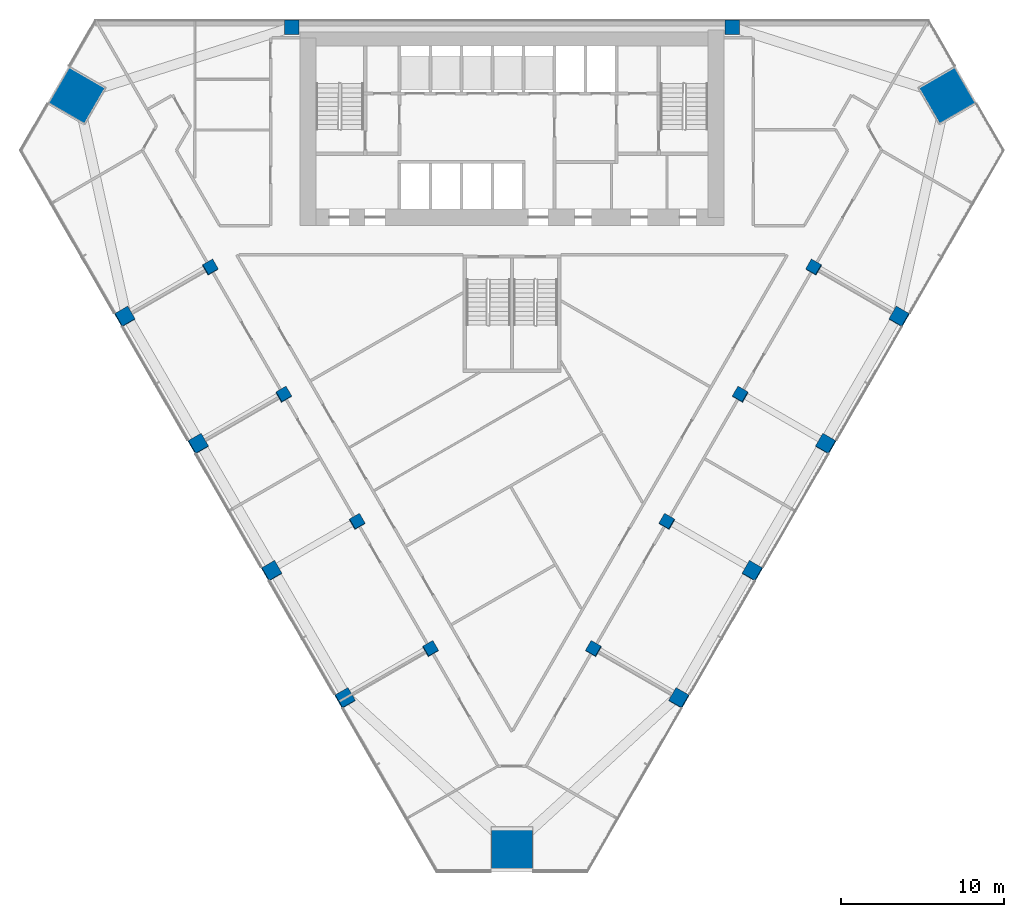
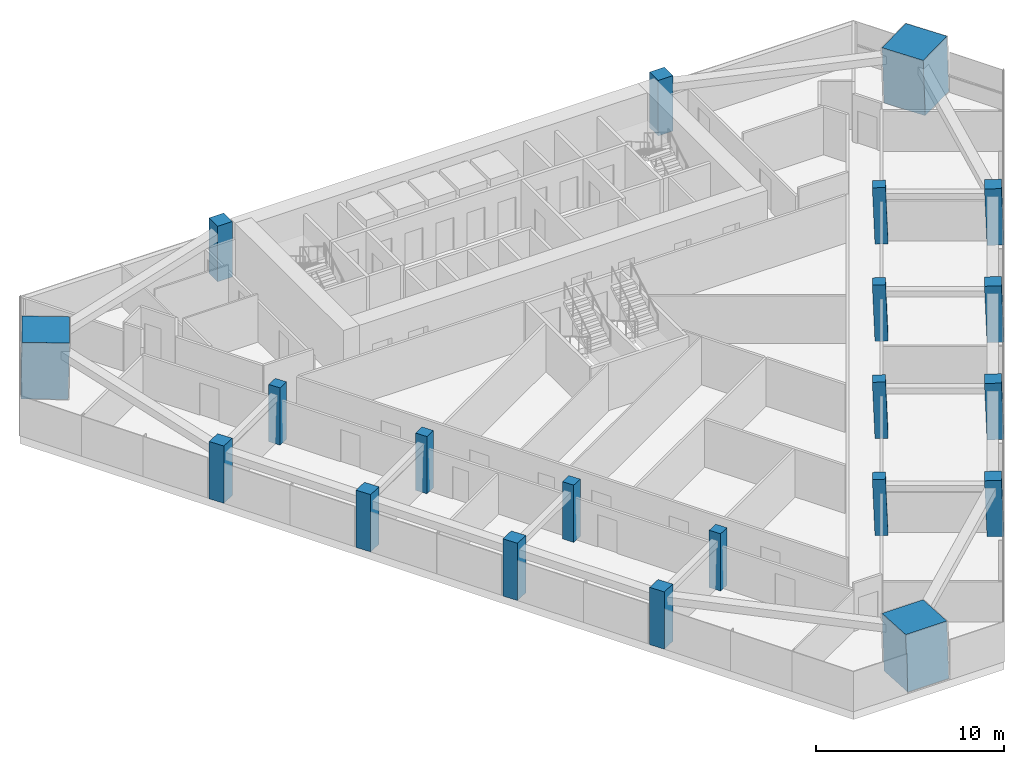
# One storey, part 1 of 14: 21 columns.
"""IFC4 building model written with IfcOpenShell, lengths in metres."""

from ifc_helpers import new_model, si_unit, direction, frame, origin, origin_2d, place, context, subcontext, project, spatial, rectangle, extrude, material, material_profile, profile_set, type_object, element, save


model = new_model("IFC4")

# Units and contexts
model_context = context("Model", 3, precision=1e-05, world=origin(), true_north=direction((0.0, 1.0)))
body_context = subcontext(model_context, "Body", "Model", "MODEL_VIEW")
ifc_project = project(units=[si_unit("LENGTHUNIT", "METRE"), si_unit("AREAUNIT", "SQUARE_METRE"), si_unit("VOLUMEUNIT", "CUBIC_METRE"), si_unit("PLANEANGLEUNIT", "RADIAN"), si_unit("MASSUNIT", "GRAM", prefix="KILO")], contexts=[model_context])

# Site, building, storey
site_placement = place(None, origin())
site = spatial("IfcSite", under=ifc_project, at=site_placement, CompositionType="ELEMENT")
building_placement = place(site_placement, origin())
building = spatial("IfcBuilding", under=site, at=building_placement, Name="Altiplano Prism Tower", CompositionType="ELEMENT")
storey_placement = place(building_placement, frame((0.0, 0.0, 63.0)))
storey = spatial("IfcBuildingStorey", under=building, at=storey_placement, Name="L15", CompositionType="ELEMENT", Elevation=63.0)

# Columns
ifc_material_1 = material(Name="Concrete C60/75", Category="concrete")
ifc_material_profile_1 = material_profile(ifc_material_1, rectangle(XDim=0.699951171875, YDim=0.699951171875, at=origin_2d()), Name="Inner column 700")
ifc_profile_set_1 = profile_set([ifc_material_profile_1], Name="Concrete C60/75")
column_type_1 = type_object("IfcColumnType", Name="Inner column 700", PredefinedType="COLUMN", material=ifc_profile_set_1)
for number, where, z_axis, x_axis, name in (
    (1, (66.491943359375, 89.825927734375, -0.021240234375), (0.02222134892, 0.038480872521, 0.999012229206), (-0.865636730018, -0.499191460381, 0.038482951101), "Inner column I11 L15"),
    (2, (70.991943359375, 82.03173828125, -0.021240234375), (0.02222134892, 0.038480872521, 0.999012229206), (-0.865639401317, -0.499186837261, 0.038482832442), "Inner column I12 L15"),
    (3, (75.491943359375, 74.237548828125, -0.021240234375), (0.022221406801, 0.038413224561, 0.999014831351), (-0.866024065394, -0.498523117158, 0.038432015521), "Inner column I13 L15"),
    (4, (79.991943359375, 66.443359375, -0.021240234375), (0.022221406801, 0.038413224561, 0.999014831351), (-0.866024056676, -0.498523132273, 0.038432015909), "Inner column I14 L15"),
    (5, (90.008056640625, 66.443359375, -0.021240234375), (-0.022221406801, 0.038413224561, 0.999014831351), (-0.499508300569, -0.866024890386, 0.022188891243), "Inner column I21 L15"),
    (6, (94.508056640625, 74.237548828125, -0.021240234375), (-0.022221406801, 0.038413224561, 0.999014831351), (-0.499508285454, -0.866024899087, 0.022188891913), "Inner column I22 L15"),
    (7, (99.008056640625, 82.03173828125, -0.021240234375), (-0.02222134892, 0.038480872521, 0.999012229206), (-0.500174608052, -0.865639488445, 0.022217954564), "Inner column I23 L15"),
    (8, (103.508056640625, 89.825927734375, -0.021240234375), (-0.02222134892, 0.038480872521, 0.999012229206), (-0.500174592943, -0.865639497158, 0.022217955235), "Inner column I24 L15"),
):
    element("IfcColumn", number, at=place(storey_placement, frame(where, z_axis=z_axis, x_axis=x_axis)), inside=storey, type_object=column_type_1, Name=name, PredefinedType="COLUMN", context=body_context, shape_type="SweptSolid", body=[
        extrude(rectangle(XDim=0.699951171875, YDim=0.699951171875, at=origin_2d()), origin(), (0.0, 0.0, 1.0), 3.603759765625),
    ])
ifc_material_2 = material(Name="Concrete C70/85", Category="concrete")
ifc_material_profile_2 = material_profile(ifc_material_2, rectangle(XDim=2.52001953125, YDim=2.52001953125, at=origin_2d()), Name="Mega column infill 2600")
ifc_profile_set_2 = profile_set([ifc_material_profile_2], Name="Concrete C70/85")
column_type_2 = type_object("IfcColumnType", Name="Mega column infill 2600", PredefinedType="COLUMN", material=ifc_profile_set_2)
column_1_placement = place(storey_placement, frame((58.275390625, 100.353271484375, 0.0), z_axis=(0.028334084323, 0.009218745139, 0.999555998633), x_axis=(-0.865474588782, 0.500556748558, 0.019916767958)))
element("IfcColumn", 9, at=column_1_placement, inside=storey, type_object=column_type_2, Name="Mega column M0 L15", PredefinedType="COLUMN", context=body_context, shape_type="SweptSolid", body=[
    extrude(rectangle(XDim=2.52001953125, YDim=2.52001953125, at=origin_2d()), origin(), (0.0, 0.0, 1.0), 3.601806640625),
])
column_2_placement = place(storey_placement, frame((85.0, 54.064697265625, 0.0), z_axis=(0.0, 0.058356907999, 0.998295783467), x_axis=(-1.0, 0.0, 0.0)))
element("IfcColumn", 10, at=column_2_placement, inside=storey, type_object=column_type_2, Name="Mega column M1 L15", PredefinedType="COLUMN", context=body_context, shape_type="SweptSolid", body=[
    extrude(rectangle(XDim=2.52001953125, YDim=2.52001953125, at=origin_2d()), origin(), (0.0, 0.0, 1.0), 3.606201171875),
])
column_3_placement = place(storey_placement, frame((111.724609375, 100.353271484375, 0.0), z_axis=(-0.028334084323, 0.009218745139, 0.999555998633), x_axis=(0.500153385455, -0.865653198761, 0.022161464136)))
element("IfcColumn", 11, at=column_3_placement, inside=storey, type_object=column_type_2, Name="Mega column M2 L15", PredefinedType="COLUMN", context=body_context, shape_type="SweptSolid", body=[
    extrude(rectangle(XDim=2.52001953125, YDim=2.52001953125, at=origin_2d()), origin(), (0.0, 0.0, 1.0), 3.601806640625),
])
ifc_material_profile_3 = material_profile(ifc_material_1, rectangle(XDim=0.89990234375, YDim=0.89990234375, at=origin_2d()), Name="Perimeter column 900")
ifc_profile_set_3 = profile_set([ifc_material_profile_3], Name="Concrete C60/75")
column_type_3 = type_object("IfcColumnType", Name="Perimeter column 900", PredefinedType="COLUMN", material=ifc_profile_set_3)
for number, where, z_axis, x_axis, name in (
    (12, (98.5, 104.550048828125, 0.0), (0.0, 0.0, 1.0), (1.0, 0.0, 0.0), "Perimeter column P01 L15"),
    (13, (71.5, 104.550048828125, 0.0), (0.0, 0.0, 1.0), (1.0, 0.0, 0.0), "Perimeter column P04 L15"),
):
    element("IfcColumn", number, at=place(storey_placement, frame(where, z_axis=z_axis, x_axis=x_axis)), inside=storey, type_object=column_type_3, Name=name, PredefinedType="COLUMN", context=body_context, shape_type="SweptSolid", body=[
        extrude(rectangle(XDim=0.89990234375, YDim=0.89990234375, at=origin_2d()), origin(), (0.0, 0.0, 1.0), 3.60009765625),
    ])
for number, where, z_axis, x_axis, name in (
    (14, (61.25244140625, 86.80078125, -0.02734375), (0.022221406801, 0.038413224561, 0.999014831351), (-0.866021380218, -0.498527772566, 0.0384321348), "Perimeter column P11 L15"),
    (15, (65.75244140625, 79.006591796875, -0.02734375), (0.022221406801, 0.038413224561, 0.999014831351), (-0.866021362782, -0.498527802796, 0.038432135574), "Perimeter column P12 L15"),
    (16, (70.25244140625, 71.21240234375, -0.02734375), (0.022221406801, 0.038413224561, 0.999014831351), (-0.866024065394, -0.498523117158, 0.038432015521), "Perimeter column P13 L15"),
    (17, (74.75244140625, 63.41796875, -0.02734375), (0.02222134892, 0.038480872521, 0.999012229206), (-0.865642081321, -0.499182199018, 0.038482713395), "Perimeter column P14 L15"),
    (18, (95.24755859375, 63.41796875, -0.02734375), (-0.02222134892, 0.038480872521, 0.999012229206), (-0.500169969809, -0.865642163156, 0.022218160761), "Perimeter column P21 L15"),
    (19, (99.74755859375, 71.21240234375, -0.02734375), (-0.022221406801, 0.038413224561, 0.999014831351), (-0.499508285454, -0.866024899087, 0.022188891913), "Perimeter column P22 L15"),
    (20, (104.24755859375, 79.006591796875, -0.02734375), (-0.022221406801, 0.038413224561, 0.999014831351), (-0.499512971088, -0.866022201804, 0.022188683976), "Perimeter column P23 L15"),
    (21, (108.74755859375, 86.80078125, -0.02734375), (-0.022221406801, 0.038413224561, 0.999014831351), (-0.499512940858, -0.866022219206, 0.022188685317), "Perimeter column P24 L15"),
):
    element("IfcColumn", number, at=place(storey_placement, frame(where, z_axis=z_axis, x_axis=x_axis)), inside=storey, type_object=column_type_3, Name=name, PredefinedType="COLUMN", context=body_context, shape_type="SweptSolid", body=[
        extrude(rectangle(XDim=0.89990234375, YDim=0.89990234375, at=origin_2d()), origin(), (0.0, 0.0, 1.0), 3.603759765625),
    ])

save(model, "model.ifc")
